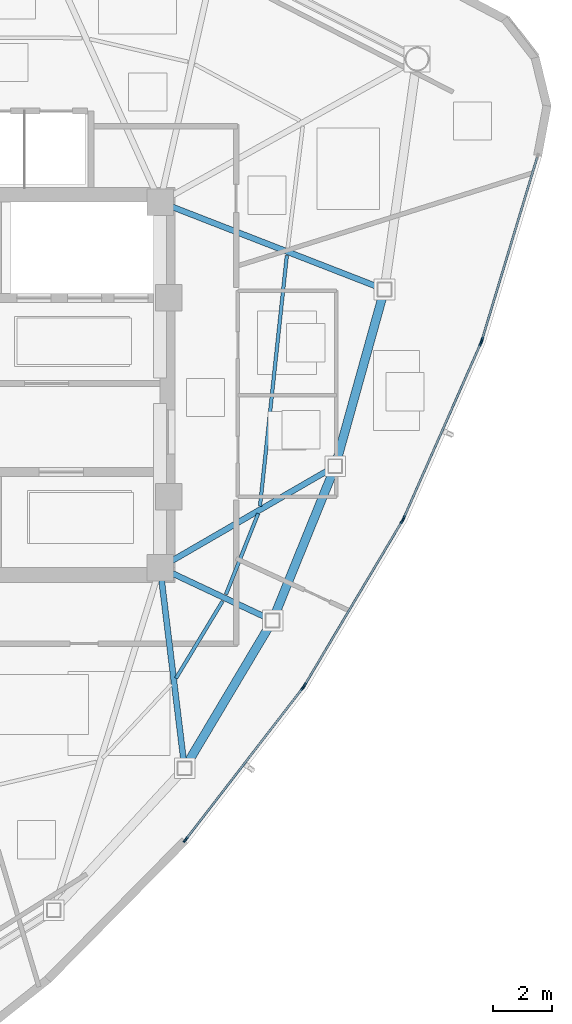
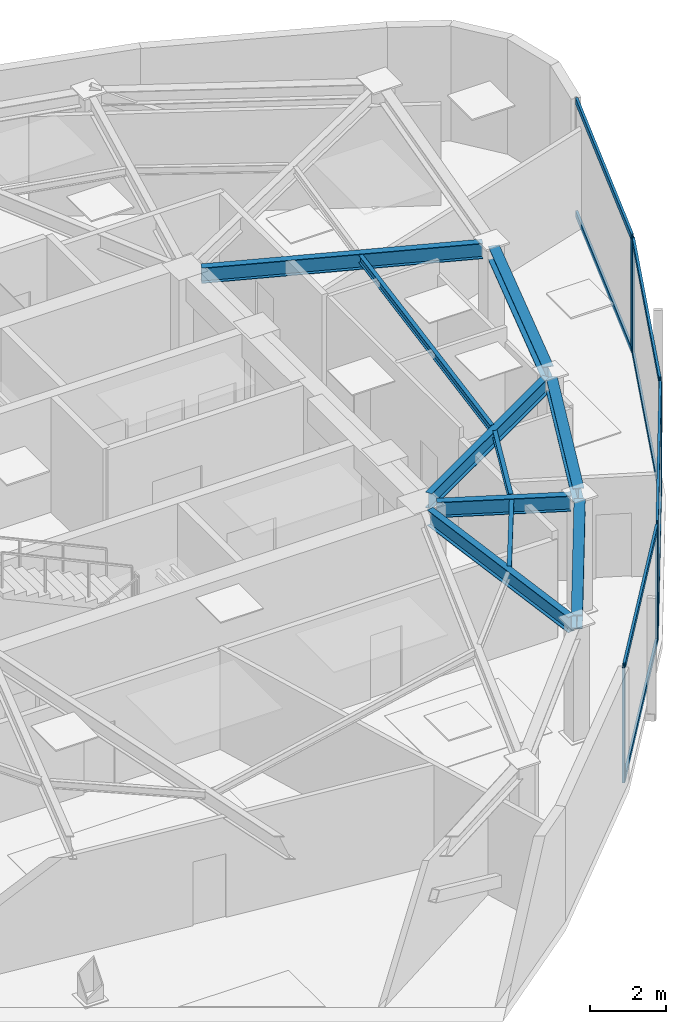
# One storey, part 4 of 12: 15 members, 10 beams, 4 elements without a shape of their own.
"""IFC4 building model written with IfcOpenShell, lengths in metres."""

from ifc_helpers import new_model, si_unit, direction, frame, origin, origin_2d, place, context, subcontext, project, spatial, hollow_rectangle, i_section, extrude, source, transform, mapped, material, layer, layer_set, material_profile, profile_set, type_object, type_shapes, element, aggregate, save


model = new_model("IFC4")

# Units and contexts
model_context = context("Model", 3, precision=1e-05, world=origin(), true_north=direction((0.0, 1.0)))
body_context = subcontext(model_context, "Body", "Model", "MODEL_VIEW")
ifc_project = project(units=[si_unit("LENGTHUNIT", "METRE"), si_unit("AREAUNIT", "SQUARE_METRE"), si_unit("VOLUMEUNIT", "CUBIC_METRE"), si_unit("PLANEANGLEUNIT", "RADIAN"), si_unit("MASSUNIT", "GRAM", prefix="KILO")], contexts=[model_context])

# Site, building, storey
site_placement = place(None, origin())
site = spatial("IfcSite", under=ifc_project, at=site_placement, CompositionType="ELEMENT")
building_placement = place(site_placement, origin())
building = spatial("IfcBuilding", under=site, at=building_placement, Name="Tavelor Broadcast Tower", CompositionType="ELEMENT")
storey_placement = place(building_placement, frame((0.0, 0.0, 277.5)))
storey = spatial("IfcBuildingStorey", under=building, at=storey_placement, Name="L66", CompositionType="ELEMENT", Elevation=277.5)

# Beams
ifc_material_1 = material(Name="Steel S355", Category="steel")
ifc_material_profile_1 = material_profile(ifc_material_1, i_section(OverallWidth=0.1201171875, OverallDepth=0.239990234375, WebThickness=0.006103515625, FlangeThickness=0.009765625, at=origin_2d()), Name="IPE 240")
ifc_profile_set_1 = profile_set([ifc_material_profile_1], Name="Steel S355")
beam_type_1 = type_object("IfcBeamType", Name="Composite Floor Joist T7 IPE 240", PredefinedType="JOIST", material=ifc_profile_set_1)
beam_1_placement = place(storey_placement, frame((57.13916015625, 35.042724609375, 3.580078125), z_axis=(0.517298358592, 0.855805122793, 0.0), x_axis=(-0.855805122793, 0.517298358592, 0.0)))
element("IfcBeam", 1, at=beam_1_placement, inside=storey, type_object=beam_type_1, Name="L66 Secondary Composite Floor Joist 09", PredefinedType="JOIST", context=body_context, shape_type="SweptSolid", body=[
    extrude(i_section(OverallWidth=0.1201171875, OverallDepth=0.239990234375, WebThickness=0.006103515625, FlangeThickness=0.009765625, at=origin_2d()), origin(), (0.0, 0.0, 1.0), 3.058837890625),
])
beam_2_placement = place(storey_placement, frame((58.8359375, 37.890625, 3.580078125), z_axis=(0.370036486067, 0.929017222111, 0.0), x_axis=(-0.929017222111, 0.370036486067, 0.0)))
element("IfcBeam", 2, at=beam_2_placement, inside=storey, type_object=beam_type_1, Name="L66 Secondary Composite Floor Joist 10", PredefinedType="JOIST", context=body_context, shape_type="SweptSolid", body=[
    extrude(i_section(OverallWidth=0.1201171875, OverallDepth=0.239990234375, WebThickness=0.006103515625, FlangeThickness=0.009765625, at=origin_2d()), origin(), (0.0, 0.0, 1.0), 2.953857421875),
])
beam_3_placement = place(storey_placement, frame((59.990478515625, 40.8828125, 3.580078125), z_axis=(0.106517007909, 0.994310880473, 0.0), x_axis=(-0.994310880473, 0.106517007909, 0.0)))
element("IfcBeam", 3, at=beam_3_placement, inside=storey, type_object=beam_type_1, Name="L66 Secondary Composite Floor Joist 11", PredefinedType="JOIST", context=body_context, shape_type="SweptSolid", body=[
    extrude(i_section(OverallWidth=0.1201171875, OverallDepth=0.239990234375, WebThickness=0.006103515625, FlangeThickness=0.009765625, at=origin_2d()), origin(), (0.0, 0.0, 1.0), 8.558349609375),
])
ifc_material_profile_2 = material_profile(ifc_material_1, i_section(OverallWidth=0.300048828125, OverallDepth=0.43994140625, WebThickness=0.011474609375, FlangeThickness=0.02099609375, at=origin_2d()), Name="HEA 450")
ifc_profile_set_2 = profile_set([ifc_material_profile_2], Name="Steel S355")
beam_type_2 = type_object("IfcBeamType", Name="Perimeter Spandrel Beam T7 HEA 450", PredefinedType="SPANDREL", material=ifc_profile_set_2)
beam_4_placement = place(storey_placement, frame((57.55419921875, 32.1982421875, 3.47998046875), z_axis=(0.511838109634, 0.859081922477, 0.0), x_axis=(-0.859081922477, 0.511838109634, 0.0)))
element("IfcBeam", 4, at=beam_4_placement, inside=storey, type_object=beam_type_2, Name="L66 Framed-Tube Ring Spandrel 09", PredefinedType="SPANDREL", context=body_context, shape_type="SweptSolid", body=[
    extrude(i_section(OverallWidth=0.300048828125, OverallDepth=0.43994140625, WebThickness=0.011474609375, FlangeThickness=0.02099609375, at=origin_2d()), origin(), (0.0, 0.0, 1.0), 5.354736328125),
])
beam_5_placement = place(storey_placement, frame((60.5078125, 37.226806640625, 3.47998046875), z_axis=(0.376269405566, 0.926510299152, 0.0), x_axis=(-0.926510299152, 0.376269405566, 0.0)))
element("IfcBeam", 5, at=beam_5_placement, inside=storey, type_object=beam_type_2, Name="L66 Framed-Tube Ring Spandrel 10", PredefinedType="SPANDREL", context=body_context, shape_type="SweptSolid", body=[
    extrude(i_section(OverallWidth=0.300048828125, OverallDepth=0.43994140625, WebThickness=0.011474609375, FlangeThickness=0.02099609375, at=origin_2d()), origin(), (0.0, 0.0, 1.0), 5.17138671875),
])
beam_6_placement = place(storey_placement, frame((62.608154296875, 42.4716796875, 3.47998046875), z_axis=(0.268356099851, 0.963319782664, 0.0), x_axis=(-0.963319782664, 0.268356099851, 0.0)))
element("IfcBeam", 6, at=beam_6_placement, inside=storey, type_object=beam_type_2, Name="L66 Framed-Tube Ring Spandrel 11", PredefinedType="SPANDREL", context=body_context, shape_type="SweptSolid", body=[
    extrude(i_section(OverallWidth=0.300048828125, OverallDepth=0.43994140625, WebThickness=0.011474609375, FlangeThickness=0.02099609375, at=origin_2d()), origin(), (0.0, 0.0, 1.0), 5.7451171875),
])
ifc_material_profile_3 = material_profile(ifc_material_1, i_section(OverallWidth=0.199951171875, OverallDepth=0.5, WebThickness=0.01025390625, FlangeThickness=0.01611328125, at=origin_2d()), Name="IPE 500")
ifc_profile_set_3 = profile_set([ifc_material_profile_3], Name="Steel S355")
beam_type_3 = type_object("IfcBeamType", Name="Radial Floor Girder T7 IPE 500", PredefinedType="BEAM", material=ifc_profile_set_3)
beam_7_placement = place(storey_placement, frame((56.65234375, 38.37109375, 3.449951171875), z_axis=(0.121231727596, -0.992624233144, 0.0), x_axis=(0.992624233144, 0.121231727596, 0.0)))
element("IfcBeam", 7, at=beam_7_placement, inside=storey, type_object=beam_type_3, Name="L66 Radial Primary Floor Girder 09", PredefinedType="BEAM", context=body_context, shape_type="SweptSolid", body=[
    extrude(i_section(OverallWidth=0.199951171875, OverallDepth=0.5, WebThickness=0.01025390625, FlangeThickness=0.01611328125, at=origin_2d()), origin(), (0.0, 0.0, 1.0), 6.1865234375),
])
beam_8_placement = place(storey_placement, frame((56.990966796875, 38.6162109375, 3.449951171875), z_axis=(0.904907602736, -0.425608071483, 0.0), x_axis=(0.425608071483, 0.904907602736, 0.0)))
element("IfcBeam", 8, at=beam_8_placement, inside=storey, type_object=beam_type_3, Name="L66 Radial Primary Floor Girder 10", PredefinedType="BEAM", context=body_context, shape_type="SweptSolid", body=[
    extrude(i_section(OverallWidth=0.199951171875, OverallDepth=0.5, WebThickness=0.01025390625, FlangeThickness=0.01611328125, at=origin_2d()), origin(), (0.0, 0.0, 1.0), 3.546630859375),
])
beam_9_placement = place(storey_placement, frame((56.973876953125, 39.016357421875, 3.449951171875), z_axis=(0.865460455047, 0.500977245741, 0.0), x_axis=(-0.500977245741, 0.865460455047, 0.0)))
element("IfcBeam", 9, at=beam_9_placement, inside=storey, type_object=beam_type_3, Name="L66 Radial Primary Floor Girder 11", PredefinedType="BEAM", context=body_context, shape_type="SweptSolid", body=[
    extrude(i_section(OverallWidth=0.199951171875, OverallDepth=0.5, WebThickness=0.01025390625, FlangeThickness=0.01611328125, at=origin_2d()), origin(), (0.0, 0.0, 1.0), 6.19580078125),
])
beam_10_placement = place(storey_placement, frame((57.002685546875, 51.04345703125, 3.449951171875), z_axis=(0.931940498833, -0.362611233466, 0.0), x_axis=(0.362611233466, 0.931940498833, 0.0)))
element("IfcBeam", 10, at=beam_10_placement, inside=storey, type_object=beam_type_3, Name="L66 Radial Primary Floor Girder 12", PredefinedType="BEAM", context=body_context, shape_type="SweptSolid", body=[
    extrude(i_section(OverallWidth=0.199951171875, OverallDepth=0.5, WebThickness=0.01025390625, FlangeThickness=0.01611328125, at=origin_2d()), origin(), (0.0, 0.0, 1.0), 7.498291015625),
])

# Curtain wall, members
ifc_material_2 = material(Name="Architectural Anodized Aluminium", Category="aluminium")
ifc_layer = layer(ifc_material_2, 0.199951171875)
ifc_layer_set = layer_set([ifc_layer], Name="Architectural Anodized Aluminium")
curtain_wall_type = type_object("IfcCurtainWallType", Name="Tower High-Zone Triple-Glazed Curtain Wall CW04", PredefinedType="NOTDEFINED", material=ifc_layer_set)
curtain_wall_1_placement = place(storey_placement, origin())
curtain_wall_1 = element("IfcCurtainWall", 11, at=curtain_wall_1_placement, inside=storey, type_object=curtain_wall_type, Name="L66 Curtain Wall CW04 Run 725", PredefinedType="NOTDEFINED")
ifc_material_profile_4 = material_profile(ifc_material_2, hollow_rectangle(XDim=0.070068359375, YDim=0.199951171875, WallThickness=0.02197265625, at=origin_2d()), Name="RHS 70x200x22")
ifc_profile_set_4 = profile_set([ifc_material_profile_4], Name="Architectural Anodized Aluminium")
member_type_1 = type_object("IfcMemberType", Name="CW04 Extruded Aluminium Mullion 70x200", PredefinedType="MULLION", material=ifc_profile_set_4)
shared_shape_1 = source(origin(), body_context, "Body", "SweptSolid", [
    extrude(hollow_rectangle(XDim=0.070068359375, YDim=0.199951171875, WallThickness=0.02197265625, at=origin_2d()), origin(), (0.0, 0.0, 1.0), 3.699951171875),
])
type_shapes(member_type_1, [shared_shape_1])
member_1_placement = place(storey_placement, frame((57.461669921875, 29.560791015625, 0.0), z_axis=(0.0, 0.0, 1.0), x_axis=(-0.791487713504, 0.611185077838, 0.0)))
member_1 = element("IfcMember", 12, at=member_1_placement, type_object=member_type_1, Name="CW04 mullion 1", PredefinedType="MULLION", context=body_context, shape_type="MappedRepresentation", body=[
    mapped(shared_shape_1, transform((0.0, 0.0, 0.0), scale=1.0)),
])
member_2_placement = place(storey_placement, frame((61.443115234375, 34.716552734375, 0.0), z_axis=(0.0, 0.0, 1.0), x_axis=(-0.791487713504, 0.611185077838, 0.0)))
member_2 = element("IfcMember", 13, at=member_2_placement, type_object=member_type_1, Name="CW04 mullion 2", PredefinedType="MULLION", context=body_context, shape_type="MappedRepresentation", body=[
    mapped(shared_shape_1, transform((0.0, 0.0, 0.0), scale=1.0)),
])

curtain_wall_2_placement = place(storey_placement, origin())
curtain_wall_2 = element("IfcCurtainWall", 14, at=curtain_wall_2_placement, inside=storey, type_object=curtain_wall_type, Name="L66 Curtain Wall CW04 Run 726", PredefinedType="NOTDEFINED")
member_3_placement = place(storey_placement, frame((61.499267578125, 34.799072265625, 0.0), z_axis=(0.0, 0.0, 1.0), x_axis=(-0.85963997815, 0.51090029161, 0.0)))
member_3 = element("IfcMember", 15, at=member_3_placement, type_object=member_type_1, Name="CW04 mullion 1", PredefinedType="MULLION", context=body_context, shape_type="MappedRepresentation", body=[
    mapped(shared_shape_1, transform((0.0, 0.0, 0.0), scale=1.0)),
])
member_4_placement = place(storey_placement, frame((64.8193359375, 40.385498046875, 0.0), z_axis=(0.0, 0.0, 1.0), x_axis=(-0.85963997815, 0.51090029161, 0.0)))
member_4 = element("IfcMember", 16, at=member_4_placement, type_object=member_type_1, Name="CW04 mullion 2", PredefinedType="MULLION", context=body_context, shape_type="MappedRepresentation", body=[
    mapped(shared_shape_1, transform((0.0, 0.0, 0.0), scale=1.0)),
])

curtain_wall_3_placement = place(storey_placement, origin())
curtain_wall_3 = element("IfcCurtainWall", 17, at=curtain_wall_3_placement, inside=storey, type_object=curtain_wall_type, Name="L66 Curtain Wall CW04 Run 727", PredefinedType="NOTDEFINED")
member_5_placement = place(storey_placement, frame((64.865234375, 40.474365234375, 0.0), z_axis=(0.0, 0.0, 1.0), x_axis=(-0.915144352201, 0.403126301096, 0.0)))
member_5 = element("IfcMember", 18, at=member_5_placement, type_object=member_type_1, Name="CW04 mullion 1", PredefinedType="MULLION", context=body_context, shape_type="MappedRepresentation", body=[
    mapped(shared_shape_1, transform((0.0, 0.0, 0.0), scale=1.0)),
])
member_6_placement = place(storey_placement, frame((67.485107421875, 46.421875, 0.0), z_axis=(0.0, 0.0, 1.0), x_axis=(-0.915144352201, 0.403126301096, 0.0)))
member_6 = element("IfcMember", 19, at=member_6_placement, type_object=member_type_1, Name="CW04 mullion 2", PredefinedType="MULLION", context=body_context, shape_type="MappedRepresentation", body=[
    mapped(shared_shape_1, transform((0.0, 0.0, 0.0), scale=1.0)),
])

# Curtain wall, member
curtain_wall_4_placement = place(storey_placement, origin())
curtain_wall_4 = element("IfcCurtainWall", 20, at=curtain_wall_4_placement, inside=storey, type_object=curtain_wall_type, Name="L66 Curtain Wall CW04 Run 728", PredefinedType="NOTDEFINED")
member_7_placement = place(storey_placement, frame((67.519775390625, 46.515380859375, 0.0), z_axis=(0.0, 0.0, 1.0), x_axis=(-0.957201252245, 0.289423155087, 0.0)))
member_7 = element("IfcMember", 21, at=member_7_placement, type_object=member_type_1, Name="CW04 mullion 1", PredefinedType="MULLION", context=body_context, shape_type="MappedRepresentation", body=[
    mapped(shared_shape_1, transform((0.0, 0.0, 0.0), scale=1.0)),
])

# Member
ifc_material_profile_5 = material_profile(ifc_material_2, hollow_rectangle(XDim=0.070068359375, YDim=0.199951171875, WallThickness=0.02197265625, at=origin_2d()), Name="RHS 70x200x22")
ifc_profile_set_5 = profile_set([ifc_material_profile_5], Name="Architectural Anodized Aluminium")
member_type_2 = type_object("IfcMemberType", Name="CW04 Extruded Aluminium Transom 70x200", PredefinedType="USERDEFINED", material=ifc_profile_set_5)
shared_shape_2 = source(origin(), body_context, "Body", "SweptSolid", [
    extrude(hollow_rectangle(XDim=0.070068359375, YDim=0.199951171875, WallThickness=0.02197265625, at=origin_2d()), origin(), (0.0, 0.0, 1.0), 6.4287109375),
])
member_8_placement = place(storey_placement, frame((61.51708984375, 34.8291015625, 0.034912109375), z_axis=(0.51090021408, 0.859640024227, 0.0), x_axis=(-0.859640024227, 0.51090021408, 0.0)))
member_8 = element("IfcMember", 22, at=member_8_placement, type_object=member_type_2, Name="CW04 transom 1.1", ObjectType="TRANSOM", PredefinedType="USERDEFINED", context=body_context, shape_type="MappedRepresentation", body=[
    mapped(shared_shape_2, transform((0.0, 0.0, 0.0), scale=1.0)),
])

member_9_placement = place(storey_placement, frame((61.51708984375, 34.8291015625, 3.6650390625), z_axis=(0.51090021408, 0.859640024227, 0.0), x_axis=(-0.859640024227, 0.51090021408, 0.0)))
member_9 = element("IfcMember", 23, at=member_9_placement, type_object=member_type_2, Name="CW04 transom 1.2", ObjectType="TRANSOM", PredefinedType="USERDEFINED", context=body_context, shape_type="MappedRepresentation", body=[
    mapped(shared_shape_2, transform((0.0, 0.0, 0.0), scale=1.0)),
])

aggregate(curtain_wall_2, [member_3, member_4, member_8, member_9])

member_10_placement = place(storey_placement, frame((64.87939453125, 40.50634765625, 0.034912109375), z_axis=(0.403116559448, 0.91514864339, 0.0), x_axis=(-0.91514864339, 0.403116559448, 0.0)))
member_10 = element("IfcMember", 24, at=member_10_placement, type_object=member_type_2, Name="CW04 transom 1.1", ObjectType="TRANSOM", PredefinedType="USERDEFINED", context=body_context, shape_type="MappedRepresentation", body=[
    mapped(shared_shape_2, transform((0.0, 0.0, 0.0), scale=1.0)),
])

member_11_placement = place(storey_placement, frame((64.87939453125, 40.50634765625, 3.6650390625), z_axis=(0.403116559448, 0.91514864339, 0.0), x_axis=(-0.91514864339, 0.403116559448, 0.0)))
member_11 = element("IfcMember", 25, at=member_11_placement, type_object=member_type_2, Name="CW04 transom 1.2", ObjectType="TRANSOM", PredefinedType="USERDEFINED", context=body_context, shape_type="MappedRepresentation", body=[
    mapped(shared_shape_2, transform((0.0, 0.0, 0.0), scale=1.0)),
])

aggregate(curtain_wall_3, [member_5, member_6, member_10, member_11])

shared_shape_3 = source(origin(), body_context, "Body", "SweptSolid", [
    extrude(hollow_rectangle(XDim=0.070068359375, YDim=0.199951171875, WallThickness=0.02197265625, at=origin_2d()), origin(), (0.0, 0.0, 1.0), 6.44384765625),
])
member_12_placement = place(storey_placement, frame((57.483154296875, 29.588623046875, 0.034912109375), z_axis=(0.611203775494, 0.791473274862, 0.0), x_axis=(-0.791473274862, 0.611203775494, 0.0)))
member_12 = element("IfcMember", 26, at=member_12_placement, type_object=member_type_2, Name="CW04 transom 1.1", ObjectType="TRANSOM", PredefinedType="USERDEFINED", context=body_context, shape_type="MappedRepresentation", body=[
    mapped(shared_shape_3, transform((0.0, 0.0, 0.0), scale=1.0)),
])

member_13_placement = place(storey_placement, frame((57.483154296875, 29.588623046875, 3.6650390625), z_axis=(0.611203775494, 0.791473274862, 0.0), x_axis=(-0.791473274862, 0.611203775494, 0.0)))
member_13 = element("IfcMember", 27, at=member_13_placement, type_object=member_type_2, Name="CW04 transom 1.2", ObjectType="TRANSOM", PredefinedType="USERDEFINED", context=body_context, shape_type="MappedRepresentation", body=[
    mapped(shared_shape_3, transform((0.0, 0.0, 0.0), scale=1.0)),
])

aggregate(curtain_wall_1, [member_1, member_2, member_12, member_13])

shared_shape_4 = source(origin(), body_context, "Body", "SweptSolid", [
    extrude(hollow_rectangle(XDim=0.070068359375, YDim=0.199951171875, WallThickness=0.02197265625, at=origin_2d()), origin(), (0.0, 0.0, 1.0), 6.445068359375),
])
type_shapes(member_type_2, [shared_shape_2, shared_shape_3, shared_shape_4])
member_14_placement = place(storey_placement, frame((67.52978515625, 46.548828125, 0.034912109375), z_axis=(0.289408066113, 0.957205814477, 0.0), x_axis=(-0.957205814477, 0.289408066113, 0.0)))
member_14 = element("IfcMember", 28, at=member_14_placement, type_object=member_type_2, Name="CW04 transom 1.1", ObjectType="TRANSOM", PredefinedType="USERDEFINED", context=body_context, shape_type="MappedRepresentation", body=[
    mapped(shared_shape_4, transform((0.0, 0.0, 0.0), scale=1.0)),
])

member_15_placement = place(storey_placement, frame((67.52978515625, 46.548828125, 3.6650390625), z_axis=(0.289408066113, 0.957205814477, 0.0), x_axis=(-0.957205814477, 0.289408066113, 0.0)))
member_15 = element("IfcMember", 29, at=member_15_placement, type_object=member_type_2, Name="CW04 transom 1.2", ObjectType="TRANSOM", PredefinedType="USERDEFINED", context=body_context, shape_type="MappedRepresentation", body=[
    mapped(shared_shape_4, transform((0.0, 0.0, 0.0), scale=1.0)),
])

aggregate(curtain_wall_4, [member_7, member_14, member_15])

save(model, "model.ifc")
